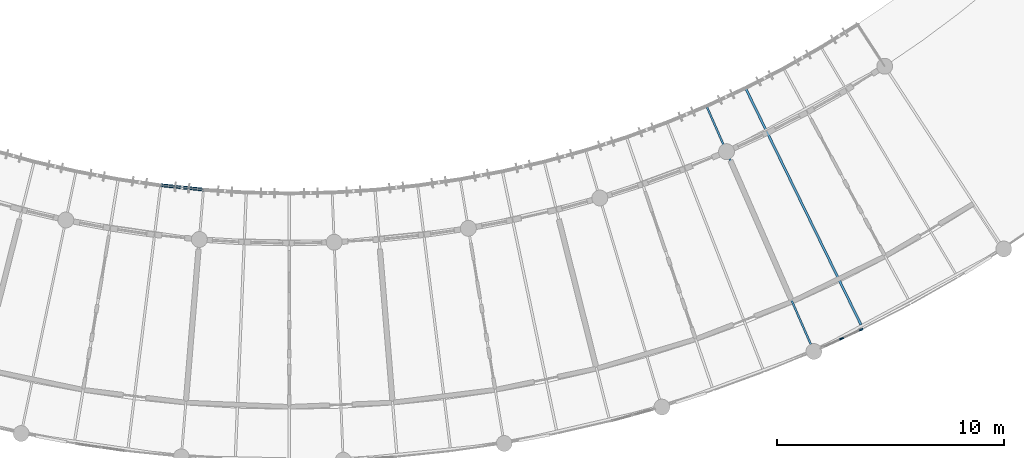
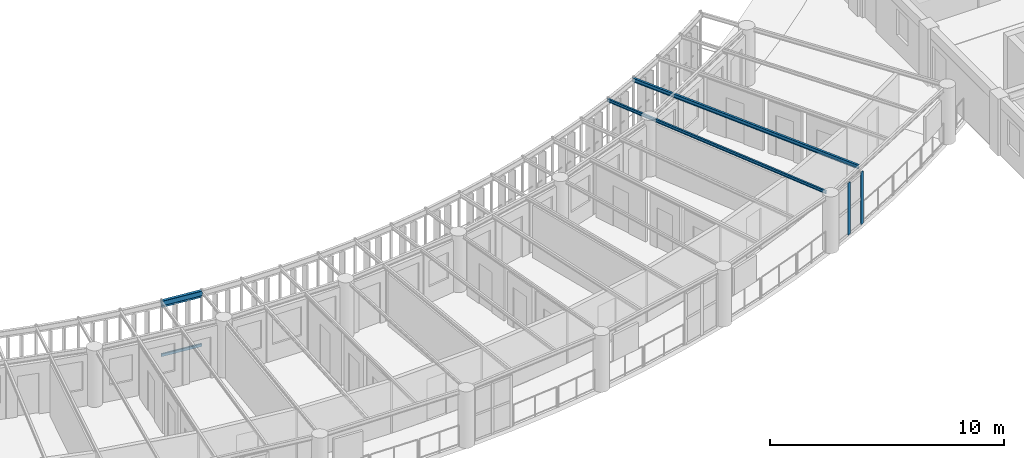
# One storey, part 17 of 100: 4 members, 3 beams, 1 element without a shape of its own.
"""IFC4 building model written with IfcOpenShell, lengths in metres."""

from ifc_helpers import new_model, si_unit, direction, frame, origin, origin_2d, place, context, subcontext, project, spatial, rectangle, hollow_rectangle, i_section, extrude, material, layer, layer_set, material_profile, profile_set, type_object, element, aggregate, save


model = new_model("IFC4")

# Units and contexts
model_context = context("Model", 3, precision=1e-05, world=origin(), true_north=direction((0.0, 1.0)))
body_context = subcontext(model_context, "Body", "Model", "MODEL_VIEW")
ifc_project = project(units=[si_unit("LENGTHUNIT", "METRE"), si_unit("AREAUNIT", "SQUARE_METRE"), si_unit("VOLUMEUNIT", "CUBIC_METRE"), si_unit("PLANEANGLEUNIT", "RADIAN"), si_unit("MASSUNIT", "GRAM", prefix="KILO"), si_unit("POWERUNIT", "WATT"), si_unit("THERMODYNAMICTEMPERATUREUNIT", "KELVIN")], contexts=[model_context])

# Site, building, storey
site_placement = place(None, origin())
site = spatial("IfcSite", under=ifc_project, at=site_placement, CompositionType="ELEMENT")
building_placement = place(site_placement, origin())
building = spatial("IfcBuilding", under=site, at=building_placement, Name="Ruvembo Vaulted Housing Court", CompositionType="ELEMENT")
storey_placement = place(building_placement, frame((0.0, 0.0, 10.89990234375)))
storey = spatial("IfcBuildingStorey", under=building, at=storey_placement, Name="L03", CompositionType="ELEMENT", Elevation=10.89990234375)

# Beams
ifc_material_1 = material(Name="Steel S355J2", Category="steel")
ifc_material_profile_1 = material_profile(ifc_material_1, i_section(OverallWidth=0.08203125, OverallDepth=0.159912109375, WebThickness=0.0048828125, FlangeThickness=0.00732421875, FilletRadius=0.009033203125, at=origin_2d()), Name="IPE 160")
ifc_profile_set_1 = profile_set([ifc_material_profile_1], Name="Steel S355J2")
beam_type_1 = type_object("IfcBeamType", Name="BM-ST-IPE160", PredefinedType="JOIST", material=ifc_profile_set_1)
beam_1_placement = place(storey_placement, frame((92.00146484375, 9.44287109375, 2.860107421875), z_axis=(-0.400930247874, 0.916108583269, 0.0), x_axis=(-0.916108583269, -0.400930247874, 0.0)))
element("IfcBeam", 1, at=beam_1_placement, inside=storey, type_object=beam_type_1, Name="Scoop SC2 L03 Radial Steel Joist 24", PredefinedType="JOIST", context=body_context, shape_type="SweptSolid", body=[
    extrude(i_section(OverallWidth=0.08203125, OverallDepth=0.159912109375, WebThickness=0.0048828125, FlangeThickness=0.00732421875, FilletRadius=0.009033203125, at=origin_2d()), origin(), (0.0, 0.0, 1.0), 11.60986328125),
])
ifc_material_profile_2 = material_profile(ifc_material_1, i_section(OverallWidth=0.10009765625, OverallDepth=0.199951171875, WebThickness=0.005615234375, FlangeThickness=0.008544921875, FilletRadius=0.011962890625, at=origin_2d()), Name="IPE 200")
ifc_profile_set_2 = profile_set([ifc_material_profile_2], Name="Steel S355J2")
beam_type_2 = type_object("IfcBeamType", Name="BM-ST-IPE200", PredefinedType="BEAM", material=ifc_profile_set_2)
beam_2_placement = place(storey_placement, frame((94.163818359375, 10.406494140625, 2.840087890625), z_axis=(-0.438376534448, 0.898791418542, 0.0), x_axis=(-0.898791418542, -0.438376534448, 0.0)))
element("IfcBeam", 2, at=beam_2_placement, inside=storey, type_object=beam_type_2, Name="Scoop SC2 L03 Radial Steel Joist 25", PredefinedType="BEAM", context=body_context, shape_type="SweptSolid", body=[
    extrude(i_section(OverallWidth=0.10009765625, OverallDepth=0.199951171875, WebThickness=0.005615234375, FlangeThickness=0.008544921875, FilletRadius=0.011962890625, at=origin_2d()), origin(), (0.0, 0.0, 1.0), 11.64306640625),
])
ifc_material_profile_3 = material_profile(ifc_material_1, hollow_rectangle(XDim=0.14990234375, YDim=0.25, WallThickness=0.010009765625, InnerFilletRadius=0.010009765625, OuterFilletRadius=0.02001953125, at=origin_2d()), Name="RHS 250x150x10")
ifc_profile_set_3 = profile_set([ifc_material_profile_3], Name="Steel S355J2")
beam_type_3 = type_object("IfcBeamType", Name="BM-ST-RHS250", PredefinedType="SPANDREL", material=ifc_profile_set_3)
beam_3_placement = place(storey_placement, frame((63.34619140625, 16.55029296875, 2.815185546875), z_axis=(0.994683125416, -0.10298291127, 0.0), x_axis=(0.10298291127, 0.994683125416, 0.0)))
element("IfcBeam", 3, at=beam_3_placement, inside=storey, type_object=beam_type_3, Name="Scoop SC2 L03 Balcony Edge Spandrel 11", PredefinedType="SPANDREL", context=body_context, shape_type="SweptSolid", body=[
    extrude(hollow_rectangle(XDim=0.14990234375, YDim=0.25, WallThickness=0.010009765625, InnerFilletRadius=0.010009765625, OuterFilletRadius=0.02001953125, at=origin_2d()), origin(), (0.0, 0.0, 1.0), 1.889404296875),
])

# Curtain wall, members
ifc_material_2 = material(Name="Anodised Aluminium and Solar-Control Glass", Category="aluminium")
ifc_layer = layer(ifc_material_2, 0.139892578125, Name="Anodised Aluminium and Solar-Control Glass")
ifc_layer_set = layer_set([ifc_layer], Name="Anodised Aluminium and Solar-Control Glass")
curtain_wall_type = type_object("IfcCurtainWallType", Name="CW-SCOOP-PAN", PredefinedType="NOTDEFINED", material=ifc_layer_set)
curtain_wall_placement = place(storey_placement, origin())
curtain_wall = element("IfcCurtainWall", 4, at=curtain_wall_placement, inside=storey, type_object=curtain_wall_type, Name="L03 Curtain Wall CW-L03-0046", PredefinedType="NOTDEFINED")
ifc_material_3 = material(Name="Anodised Aluminium 6063-T6", Category="aluminium")
ifc_material_profile_4 = material_profile(ifc_material_3, rectangle(XDim=0.06494140625, YDim=0.179931640625, at=origin_2d()), Name="ALU 65x180")
ifc_profile_set_4 = profile_set([ifc_material_profile_4], Name="Anodised Aluminium 6063-T6")
member_type_1 = type_object("IfcMemberType", Name="CW-MUL-65x180", PredefinedType="MULLION", material=ifc_profile_set_4)
member_1_placement = place(storey_placement, frame((93.30810546875, 9.793701171875, 0.0), z_axis=(0.0, 0.0, 1.0), x_axis=(-0.419738421805, 0.907645116365, 0.0)))
member_1 = element("IfcMember", 5, at=member_1_placement, type_object=member_type_1, Name="CW10 mullion 2", PredefinedType="MULLION", context=body_context, shape_type="SweptSolid", body=[
    extrude(rectangle(XDim=0.06494140625, YDim=0.179931640625, at=origin_2d()), origin(), (0.0, 0.0, 1.0), 2.697998046875),
])
member_2_placement = place(storey_placement, frame((94.17529296875, 10.19482421875, 0.0), z_axis=(0.0, 0.0, 1.0), x_axis=(-0.419738421805, 0.907645116365, 0.0)))
member_2 = element("IfcMember", 6, at=member_2_placement, type_object=member_type_1, Name="CW10 mullion 3", PredefinedType="MULLION", context=body_context, shape_type="SweptSolid", body=[
    extrude(rectangle(XDim=0.06494140625, YDim=0.179931640625, at=origin_2d()), origin(), (0.0, 0.0, 1.0), 2.697998046875),
])
aggregate(curtain_wall, [member_1, member_2])

# Members
ifc_material_profile_5 = material_profile(ifc_material_1, hollow_rectangle(XDim=0.06005859375, YDim=0.1201171875, WallThickness=0.0048828125, InnerFilletRadius=0.0048828125, OuterFilletRadius=0.010009765625, at=origin_2d()), Name="RHS 120x60x5")
ifc_profile_set_5 = profile_set([ifc_material_profile_5], Name="Steel S355J2")
member_type_2 = type_object("IfcMemberType", Name="MEM-CAR-RHS120", PredefinedType="CHORD", material=ifc_profile_set_5)
member_3_placement = place(storey_placement, frame((63.34619140625, 16.55029296875, 2.633056640625), z_axis=(0.994683125416, -0.10298291127, 0.0), x_axis=(0.10298291127, 0.994683125416, 0.0)))
element("IfcMember", 7, at=member_3_placement, inside=storey, type_object=member_type_2, Name="Scoop SC2 L03 Upper Louvre Carrier Rail 11", PredefinedType="CHORD", context=body_context, shape_type="SweptSolid", body=[
    extrude(hollow_rectangle(XDim=0.06005859375, YDim=0.1201171875, WallThickness=0.0048828125, InnerFilletRadius=0.0048828125, OuterFilletRadius=0.010009765625, at=origin_2d()), origin(), (0.0, 0.0, 1.0), 1.889404296875),
])
ifc_material_profile_6 = material_profile(ifc_material_1, hollow_rectangle(XDim=0.080078125, YDim=0.14990234375, WallThickness=0.00634765625, InnerFilletRadius=0.00634765625, OuterFilletRadius=0.0126953125, at=origin_2d()), Name="RHS 150x80x6.3")
ifc_profile_set_6 = profile_set([ifc_material_profile_6], Name="Steel S355J2")
member_type_3 = type_object("IfcMemberType", Name="MEM-CAR-RHS150", PredefinedType="CHORD", material=ifc_profile_set_6)
member_4_placement = place(storey_placement, frame((63.34619140625, 16.55029296875, 0.09521484375), z_axis=(0.994683125416, -0.10298291127, 0.0), x_axis=(0.10298291127, 0.994683125416, 0.0)))
element("IfcMember", 8, at=member_4_placement, inside=storey, type_object=member_type_3, Name="Scoop SC2 L03 Lower Louvre Carrier Rail 11", PredefinedType="CHORD", context=body_context, shape_type="SweptSolid", body=[
    extrude(hollow_rectangle(XDim=0.080078125, YDim=0.14990234375, WallThickness=0.00634765625, InnerFilletRadius=0.00634765625, OuterFilletRadius=0.0126953125, at=origin_2d()), origin(), (0.0, 0.0, 1.0), 1.889404296875),
])

save(model, "model.ifc")
